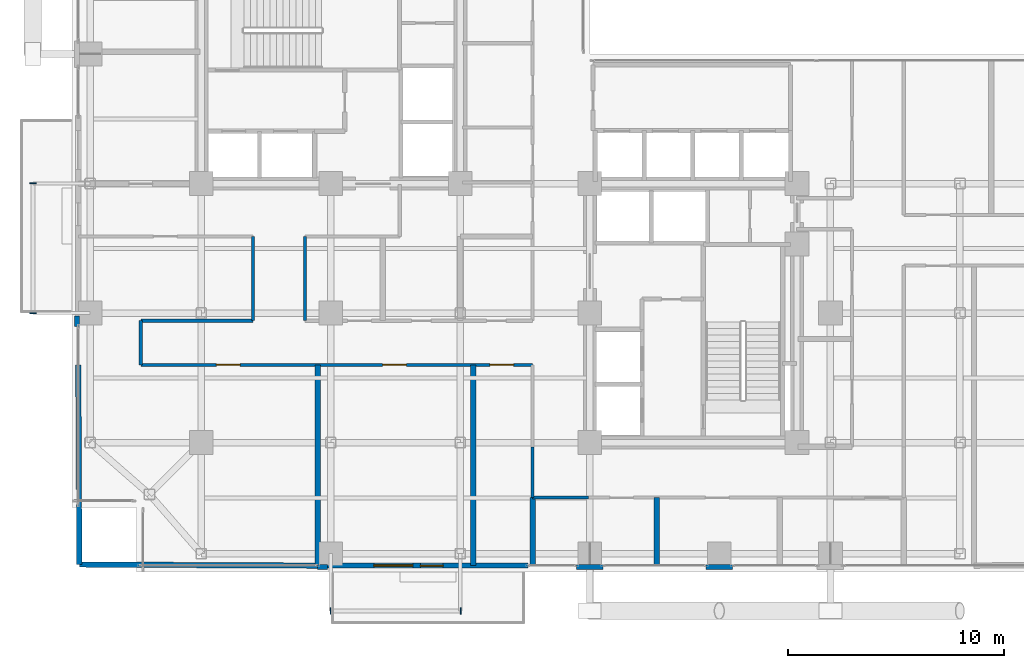
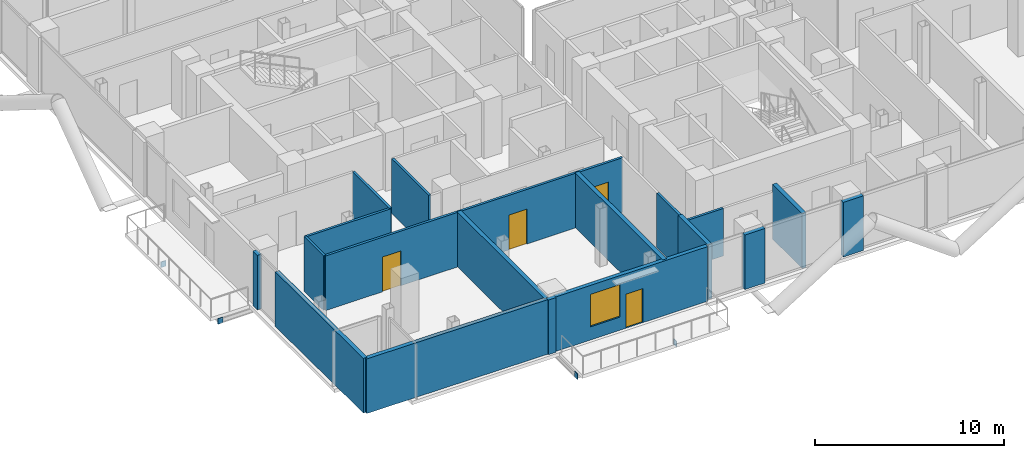
# One storey, part 18 of 24: 18 walls, 4 doors, 4 plates, 1 window, 5 openings.
"""IFC4 building model written with IfcOpenShell, lengths in metres."""

from ifc_helpers import new_model, si_unit, direction, frame, frame_2d, origin, origin_2d, place, context, subcontext, project, spatial, rectangle, extrude, material, layer, layer_set, type_object, element, fill, save


model = new_model("IFC4")

# Units and contexts
model_context = context("Model", 3, precision=1e-05, world=origin(), true_north=direction((0.0, 1.0)))
body_context = subcontext(model_context, "Body", "Model", "MODEL_VIEW")
ifc_project = project(units=[si_unit("LENGTHUNIT", "METRE"), si_unit("AREAUNIT", "SQUARE_METRE"), si_unit("VOLUMEUNIT", "CUBIC_METRE"), si_unit("PLANEANGLEUNIT", "RADIAN"), si_unit("MASSUNIT", "GRAM", prefix="KILO"), si_unit("THERMODYNAMICTEMPERATUREUNIT", "KELVIN"), si_unit("POWERUNIT", "WATT")], contexts=[model_context])

# Site, building, storey
site_placement = place(None, origin())
site = spatial("IfcSite", under=ifc_project, at=site_placement, CompositionType="ELEMENT")
building_placement = place(site_placement, origin())
building = spatial("IfcBuilding", under=site, at=building_placement, Name="Svarakhadi Broadcast Tower", CompositionType="ELEMENT")
storey_placement = place(building_placement, frame((0.0, 0.0, 130.64990234375)))
storey = spatial("IfcBuildingStorey", under=building, at=storey_placement, Name="L31", CompositionType="ELEMENT", Elevation=130.64990234375)

# Plates
ifc_material_1 = material(Name="Steel S460ML (IS 2062 E450BR)", Category="steel")
ifc_layer_1 = layer(ifc_material_1, 0.028076171875)
ifc_layer_set_1 = layer_set([ifc_layer_1], Name="Steel S460ML (IS 2062 E450BR)")
plate_type = type_object("IfcPlateType", Name="Cap_Plate_CP02", PredefinedType="USERDEFINED", material=ifc_layer_set_1)
for number, where, z_axis, x_axis, name in (
    (1, (11.985107421875, -1.800048828125, -0.55517578125), (0.0, 0.0, 1.0), (1.0, 0.0, 0.0), "L31 Balcony Spandrel End Cap Plate 1F-A"),
    (2, (18.014892578125, -1.800048828125, -0.55517578125), (0.0, 0.0, 1.0), (1.0, 0.0, 0.0), "L31 Balcony Spandrel End Cap Plate 1F-B"),
):
    element("IfcPlate", number, at=place(storey_placement, frame(where, z_axis=z_axis, x_axis=x_axis)), inside=storey, type_object=plate_type, Name=name, ObjectType="FLANGE_PLATE", PredefinedType="USERDEFINED", context=body_context, shape_type="SweptSolid", body=[
        extrude(rectangle(XDim=0.0400390625, YDim=0.300048828125, at=origin_2d()), origin(), (0.0, 0.0, 1.0), 0.360107421875),
    ])
for number, where, z_axis, x_axis, name in (
    (3, (-1.800048828125, 11.985107421875, -0.55517578125), (0.0, 0.0, 1.0), (1.0, 0.0, 0.0), "L31 Balcony Spandrel End Cap Plate 2F-A"),
    (4, (-1.800048828125, 18.014892578125, -0.55517578125), (0.0, 0.0, 1.0), (1.0, 0.0, 0.0), "L31 Balcony Spandrel End Cap Plate 2F-B"),
):
    element("IfcPlate", number, at=place(storey_placement, frame(where, z_axis=z_axis, x_axis=x_axis)), inside=storey, type_object=plate_type, Name=name, ObjectType="FLANGE_PLATE", PredefinedType="USERDEFINED", context=body_context, shape_type="SweptSolid", body=[
        extrude(rectangle(XDim=0.300048828125, YDim=0.0400390625, at=origin_2d()), origin(), (0.0, 0.0, 1.0), 0.360107421875),
    ])

# Walls
ifc_material_2 = material(Name="Double-Stud Acoustic Studio Partition STC-62", Category="gypsum")
ifc_layer_2 = layer(ifc_material_2, 0.25)
ifc_layer_set_2 = layer_set([ifc_layer_2], Name="Double-Stud Acoustic Studio Partition STC-62")
wall_type_1 = type_object("IfcWallType", Name="Wall_Acoust_250", PredefinedType="PARTITIONING", material=ifc_layer_set_2)
for number, where, z_axis, x_axis, name in (
    (5, (21.35009765625, 0.300048828125, 0.0), (0.0, 0.0, 1.0), (0.0, 1.0, 0.0), "L31 Harbour Front Production Office Wall"),
    (6, (27.10009765625, 0.300048828125, 0.0), (0.0, 0.0, 1.0), (0.0, 1.0, 0.0), "L31 Harbour Front Production Office Wall"),
):
    element("IfcWall", number, at=place(storey_placement, frame(where, z_axis=z_axis, x_axis=x_axis)), inside=storey, type_object=wall_type_1, Name=name, PredefinedType="PARTITIONING", context=body_context, shape_type="SweptSolid", body=[
        extrude(rectangle(XDim=3.14990234375, YDim=0.25, at=frame_2d((1.574951171875, 0.0))), origin(), (0.0, 0.0, 1.0), 3.525146484375),
    ])
wall_1_placement = place(storey_placement, frame((0.35009765625, 0.35009765625, 0.0), z_axis=(0.0, 0.0, 1.0), x_axis=(0.999989714785, -0.004535451924, 0.0)))
element("IfcWall", 7, at=wall_1_placement, inside=storey, type_object=wall_type_1, Name="L31 Dolby Cinema Screening Theatre Wall", PredefinedType="PARTITIONING", context=body_context, shape_type="SweptSolid", body=[
    extrude(rectangle(XDim=11.034912109375, YDim=0.25, at=frame_2d((5.517578125, 0.0))), origin(), (0.0, 0.0, 1.0), 3.525146484375),
])
wall_2_placement = place(storey_placement, frame((0.35009765625, 0.35009765625, 0.0), z_axis=(0.0, 0.0, 1.0), x_axis=(-0.005410604923, 0.99998536257, 0.0)))
element("IfcWall", 8, at=wall_2_placement, inside=storey, type_object=wall_type_1, Name="L31 Dolby Cinema Screening Theatre Wall", PredefinedType="PARTITIONING", context=body_context, shape_type="SweptSolid", body=[
    extrude(rectangle(XDim=9.250244140625, YDim=0.25, at=frame_2d((4.625, 0.0))), origin(), (0.0, 0.0, 1.0), 3.525146484375),
])
for number, where, z_axis, x_axis, name in (
    (9, (11.39990234375, 0.300048828125, 0.0), (0.0, 0.0, 1.0), (0.0, 1.0, 0.0), "L31 Dolby Cinema Screening Theatre Wall"),
    (10, (18.60009765625, 0.300048828125, 0.0), (0.0, 0.0, 1.0), (0.0, 1.0, 0.0), "L31 Post-Production Coordination Office Wall"),
):
    element("IfcWall", number, at=place(storey_placement, frame(where, z_axis=z_axis, x_axis=x_axis)), inside=storey, type_object=wall_type_1, Name=name, PredefinedType="PARTITIONING", context=body_context, shape_type="SweptSolid", body=[
        extrude(rectangle(XDim=9.300048828125, YDim=0.25, at=frame_2d((4.64990234375, 0.0))), origin(), (0.0, 0.0, 1.0), 3.525146484375),
    ])

# Wall, openings, door, window
ifc_material_3 = material(Name="Concrete C40/50 (IS 456 M50)", Category="concrete")
ifc_layer_3 = layer(ifc_material_3, 0.239990234375)
ifc_layer_set_3 = layer_set([ifc_layer_3], Name="Concrete C40/50 (IS 456 M50)")
wall_type_2 = type_object("IfcWallType", Name="Wall_Ext_240", PredefinedType="SOLIDWALL", material=ifc_layer_set_3)
wall_3_placement = place(storey_placement, frame((21.14501953125, 0.300048828125, 0.0), z_axis=(0.0, 0.0, 1.0), x_axis=(-1.0, 0.0, 0.0)))
wall_3 = element("IfcWall", 11, at=wall_3_placement, inside=storey, type_object=wall_type_2, Name="L31 South Tree Balcony Spandrel Wall", PredefinedType="SOLIDWALL", context=body_context, shape_type="SweptSolid", body=[
    extrude(rectangle(XDim=9.2900390625, YDim=0.239990234375, at=frame_2d((4.64501953125, 0.0))), origin(), (0.0, 0.0, 1.0), 3.525146484375),
])
opening_1_placement = place(wall_3_placement, frame((3.945068359375, 0.0, 0.0)))
opening_1 = element("IfcOpeningElement", 12, at=opening_1_placement, cuts=wall_3, Name="Opening ED-05", PredefinedType="OPENING", context=body_context, shape_type="SweptSolid", body=[
    extrude(rectangle(XDim=1.050048828125, YDim=2.199951171875, at=frame_2d((0.52490234375, 1.10009765625))), frame((0.0, 0.1298828125, 0.0), z_axis=(0.0, -1.0, 0.0), x_axis=(1.0, 0.0, 0.0)), (0.0, 0.0, 1.0), 0.260009765625),
])
opening_2_placement = place(wall_3_placement, frame((5.344970703125, 0.0, 0.85009765625)))
opening_2 = element("IfcOpeningElement", 13, at=opening_2_placement, cuts=wall_3, Name="Opening WN-02", PredefinedType="OPENING", context=body_context, shape_type="SweptSolid", body=[
    extrude(rectangle(XDim=1.800048828125, YDim=2.10009765625, at=frame_2d((0.89990234375, 1.050048828125))), frame((0.0, 0.1298828125, 0.0), z_axis=(0.0, -1.0, 0.0), x_axis=(1.0, 0.0, 0.0)), (0.0, 0.0, 1.0), 0.260009765625),
])
ifc_material_4 = material(Name="Anodised Bronze Aluminium AA 6063-T6", Category="aluminium")
door_type_1 = type_object("IfcDoorType", Name="Door_Ext_ED05", OperationType="SINGLE_SWING_LEFT", PredefinedType="DOOR", material=ifc_material_4)
door_1_placement = place(opening_1_placement, origin())
door_1 = element("IfcDoor", 14, at=door_1_placement, inside=storey, type_object=door_type_1, Name="L31 South Tree Balcony Door", OperationType="SINGLE_SWING_LEFT", OverallHeight=2.199951171875, OverallWidth=1.050048828125, PredefinedType="DOOR", context=body_context, shape_type="SweptSolid", body=[
    extrude(rectangle(XDim=1.050048828125, YDim=2.199951171875, at=frame_2d((0.52490234375, 1.10009765625))), frame((0.0, 0.02490234375, 0.0), z_axis=(0.0, -1.0, 0.0), x_axis=(1.0, 0.0, 0.0)), (0.0, 0.0, 1.0), 0.050048828125),
])
fill(opening_1, door_1)
ifc_material_5 = material(Name="Double Low-E Laminated Acoustic Glass IGU 36 mm", Category="glass")
window_type = type_object("IfcWindowType", Name="Win_Fixed_WN02", PartitioningType="SINGLE_PANEL", PredefinedType="WINDOW", material=ifc_material_5)
window_placement = place(opening_2_placement, origin())
window = element("IfcWindow", 15, at=window_placement, inside=storey, type_object=window_type, Name="L31 South Tree Balcony Window", OverallHeight=2.10009765625, OverallWidth=1.800048828125, PartitioningType="SINGLE_PANEL", PredefinedType="WINDOW", context=body_context, shape_type="SweptSolid", body=[
    extrude(rectangle(XDim=1.800048828125, YDim=2.10009765625, at=frame_2d((0.89990234375, 1.050048828125))), frame((0.0, 0.030029296875, 0.0), z_axis=(0.0, -1.0, 0.0), x_axis=(1.0, 0.0, 0.0)), (0.0, 0.0, 1.0), 0.06005859375),
])
fill(opening_2, window)

# Walls
wall_4_placement = place(storey_placement, frame((0.239990234375, 11.385009765625, 0.0), z_axis=(0.0, 0.0, 1.0), x_axis=(0.0, 1.0, 0.0)))
element("IfcWall", 16, at=wall_4_placement, inside=storey, type_object=wall_type_2, Name="L31 Perimeter Bronze Spandrel Closure Wall 01", PredefinedType="SOLIDWALL", context=body_context, shape_type="SweptSolid", body=[
    extrude(rectangle(XDim=0.469970703125, YDim=0.239990234375, at=frame_2d((0.23486328125, 0.0))), origin(), (0.0, 0.0, 1.0), 3.525146484375),
])
for number, where, z_axis, x_axis, name in (
    (17, (30.614990234375, 0.239990234375, 0.0), (0.0, 0.0, 1.0), (-1.0, 0.0, 0.0), "L31 Perimeter Bronze Spandrel Closure Wall 08"),
    (18, (24.614990234375, 0.239990234375, 0.0), (0.0, 0.0, 1.0), (-1.0, 0.0, 0.0), "L31 Perimeter Bronze Spandrel Closure Wall 09"),
):
    element("IfcWall", number, at=place(storey_placement, frame(where, z_axis=z_axis, x_axis=x_axis)), inside=storey, type_object=wall_type_2, Name=name, PredefinedType="SOLIDWALL", context=body_context, shape_type="SweptSolid", body=[
        extrude(rectangle(XDim=1.22998046875, YDim=0.239990234375, at=frame_2d((0.614990234375, 0.0))), origin(), (0.0, 0.0, 1.0), 3.525146484375),
    ])
wall_5_placement = place(storey_placement, frame((11.85498046875, 0.239990234375, 0.0), z_axis=(0.0, 0.0, 1.0), x_axis=(-1.0, 0.0, 0.0)))
element("IfcWall", 19, at=wall_5_placement, inside=storey, type_object=wall_type_2, Name="L31 Perimeter Bronze Spandrel Closure Wall 10", PredefinedType="SOLIDWALL", context=body_context, shape_type="SweptSolid", body=[
    extrude(rectangle(XDim=0.469970703125, YDim=0.239990234375, at=frame_2d((0.23486328125, 0.0))), origin(), (0.0, 0.0, 1.0), 3.525146484375),
])
ifc_material_6 = material(Name="Autoclaved Aerated Concrete Blockwork 150 mm", Category="masonry")
ifc_layer_4 = layer(ifc_material_6, 0.14990234375)
ifc_layer_set_4 = layer_set([ifc_layer_4], Name="Autoclaved Aerated Concrete Blockwork 150 mm")
wall_type_3 = type_object("IfcWallType", Name="Wall_Part_150", PredefinedType="PARTITIONING", material=ifc_layer_set_4)
wall_6_placement = place(storey_placement, frame((23.949951171875, 3.449951171875, 0.0), z_axis=(0.0, 0.0, 1.0), x_axis=(-1.0, 0.0, 0.0)))
element("IfcWall", 20, at=wall_6_placement, inside=storey, type_object=wall_type_3, Name="L31 Zone 2/3 Corridor Wall", PredefinedType="PARTITIONING", context=body_context, shape_type="SweptSolid", body=[
    extrude(rectangle(XDim=2.599853515625, YDim=0.14990234375, at=frame_2d((1.2998046875, 0.0))), origin(), (0.0, 0.0, 1.0), 3.067138671875),
])
wall_7_placement = place(storey_placement, frame((21.35009765625, 3.449951171875, 0.0), z_axis=(0.0, 0.0, 1.0), x_axis=(0.0, 1.0, 0.0)))
element("IfcWall", 21, at=wall_7_placement, inside=storey, type_object=wall_type_3, Name="L31 Zone 2/3 Corridor Wall", PredefinedType="PARTITIONING", context=body_context, shape_type="SweptSolid", body=[
    extrude(rectangle(XDim=2.35009765625, YDim=0.14990234375, at=frame_2d((1.175048828125, 0.0))), origin(), (0.0, 0.0, 1.0), 3.525146484375),
])

# Wall, openings, doors
wall_8_placement = place(storey_placement, frame((21.35009765625, 9.60009765625, 0.0), z_axis=(0.0, 0.0, 1.0), x_axis=(-1.0, 0.0, 0.0)))
wall_8 = element("IfcWall", 22, at=wall_8_placement, inside=storey, type_object=wall_type_3, Name="L31 Zone 2/3 Corridor Wall", PredefinedType="PARTITIONING", context=body_context, shape_type="SweptSolid", body=[
    extrude(rectangle(XDim=18.150146484375, YDim=0.14990234375, at=frame_2d((9.0751953125, 0.0))), origin(), (0.0, 0.0, 1.0), 3.525146484375),
])
opening_3_placement = place(wall_8_placement, frame((13.550048828125, 0.0, 0.0)))
opening_3 = element("IfcOpeningElement", 23, at=opening_3_placement, cuts=wall_8, Name="Opening D-11", PredefinedType="OPENING", context=body_context, shape_type="SweptSolid", body=[
    extrude(rectangle(XDim=1.10009765625, YDim=2.25, at=frame_2d((0.550048828125, 1.125))), frame((0.0, 0.0849609375, 0.0), z_axis=(0.0, -1.0, 0.0), x_axis=(1.0, 0.0, 0.0)), (0.0, 0.0, 1.0), 0.169921875),
])
opening_4_placement = place(wall_8_placement, frame((5.85009765625, 0.0, 0.0)))
opening_4 = element("IfcOpeningElement", 24, at=opening_4_placement, cuts=wall_8, Name="Opening D-10", PredefinedType="OPENING", context=body_context, shape_type="SweptSolid", body=[
    extrude(rectangle(XDim=1.10009765625, YDim=2.25, at=frame_2d((0.550048828125, 1.125))), frame((0.0, 0.0849609375, 0.0), z_axis=(0.0, -1.0, 0.0), x_axis=(1.0, 0.0, 0.0)), (0.0, 0.0, 1.0), 0.169921875),
])
opening_5_placement = place(wall_8_placement, frame((0.875, 0.0, 0.0)))
opening_5 = element("IfcOpeningElement", 25, at=opening_5_placement, cuts=wall_8, Name="Opening D-11", PredefinedType="OPENING", context=body_context, shape_type="SweptSolid", body=[
    extrude(rectangle(XDim=1.10009765625, YDim=2.25, at=frame_2d((0.550048828125, 1.125))), frame((0.0, 0.0849609375, 0.0), z_axis=(0.0, -1.0, 0.0), x_axis=(1.0, 0.0, 0.0)), (0.0, 0.0, 1.0), 0.169921875),
])
ifc_material_7 = material(Name="Solid-Core Teak Veneer Acoustic Timber Leaf", Category="wood")
door_type_2 = type_object("IfcDoorType", Name="Door_Acoust_D10", OperationType="SINGLE_SWING_LEFT", PredefinedType="DOOR", material=ifc_material_7)
door_2_placement = place(opening_4_placement, origin())
door_2 = element("IfcDoor", 26, at=door_2_placement, inside=storey, type_object=door_type_2, Name="L31 Post-Production Coordination Office Door", OperationType="SINGLE_SWING_LEFT", OverallHeight=2.25, OverallWidth=1.10009765625, PredefinedType="DOOR", context=body_context, shape_type="SweptSolid", body=[
    extrude(rectangle(XDim=1.10009765625, YDim=2.25, at=frame_2d((0.550048828125, 1.125))), frame((0.0, 0.02490234375, 0.0), z_axis=(0.0, -1.0, 0.0), x_axis=(1.0, 0.0, 0.0)), (0.0, 0.0, 1.0), 0.050048828125),
])
fill(opening_4, door_2)
door_type_3 = type_object("IfcDoorType", Name="Door_Acoust_D11", OperationType="SINGLE_SWING_RIGHT", PredefinedType="DOOR", material=ifc_material_7)
door_3_placement = place(opening_3_placement, origin())
door_3 = element("IfcDoor", 27, at=door_3_placement, inside=storey, type_object=door_type_3, Name="L31 Dolby Cinema Screening Theatre Door", OperationType="SINGLE_SWING_RIGHT", OverallHeight=2.25, OverallWidth=1.10009765625, PredefinedType="DOOR", context=body_context, shape_type="SweptSolid", body=[
    extrude(rectangle(XDim=1.10009765625, YDim=2.25, at=frame_2d((0.550048828125, 1.125))), frame((0.0, 0.02490234375, 0.0), z_axis=(0.0, -1.0, 0.0), x_axis=(1.0, 0.0, 0.0)), (0.0, 0.0, 1.0), 0.050048828125),
])
fill(opening_3, door_3)
door_4_placement = place(opening_5_placement, origin())
door_4 = element("IfcDoor", 28, at=door_4_placement, inside=storey, type_object=door_type_3, Name="L31 Hospitality Catering Kitchen Door", OperationType="SINGLE_SWING_RIGHT", OverallHeight=2.25, OverallWidth=1.10009765625, PredefinedType="DOOR", context=body_context, shape_type="SweptSolid", body=[
    extrude(rectangle(XDim=1.10009765625, YDim=2.25, at=frame_2d((0.550048828125, 1.125))), frame((0.0, 0.02490234375, 0.0), z_axis=(0.0, -1.0, 0.0), x_axis=(1.0, 0.0, 0.0)), (0.0, 0.0, 1.0), 0.050048828125),
])
fill(opening_5, door_4)

# Walls
wall_9_placement = place(storey_placement, frame((3.199951171875, 9.60009765625, 0.0), z_axis=(0.0, 0.0, 1.0), x_axis=(0.0, 1.0, 0.0)))
element("IfcWall", 29, at=wall_9_placement, inside=storey, type_object=wall_type_3, Name="L31 Zone 2/3 Corridor Wall", PredefinedType="PARTITIONING", context=body_context, shape_type="SweptSolid", body=[
    extrude(rectangle(XDim=2.0498046875, YDim=0.14990234375, at=frame_2d((1.02490234375, 0.0))), origin(), (0.0, 0.0, 1.0), 3.525146484375),
])
wall_10_placement = place(storey_placement, frame((3.199951171875, 11.64990234375, 0.0), z_axis=(0.0, 0.0, 1.0), x_axis=(1.0, 0.0, 0.0)))
element("IfcWall", 30, at=wall_10_placement, inside=storey, type_object=wall_type_3, Name="L31 Zone 2/3 Corridor Wall", PredefinedType="PARTITIONING", context=body_context, shape_type="SweptSolid", body=[
    extrude(rectangle(XDim=5.199951171875, YDim=0.14990234375, at=frame_2d((2.60009765625, 0.0))), origin(), (0.0, 0.0, 1.0), 3.525146484375),
])
for number, where, z_axis, x_axis, name in (
    (31, (8.39990234375, 11.64990234375, 0.0), (0.0, 0.0, 1.0), (0.0, 1.0, 0.0), "L31 Zone 2/3 Corridor Wall"),
    (32, (10.800048828125, 15.550048828125, 0.0), (0.0, 0.0, 1.0), (0.0, -1.0, 0.0), "L31 Zone 2/3 Corridor Wall"),
):
    element("IfcWall", number, at=place(storey_placement, frame(where, z_axis=z_axis, x_axis=x_axis)), inside=storey, type_object=wall_type_3, Name=name, PredefinedType="PARTITIONING", context=body_context, shape_type="SweptSolid", body=[
        extrude(rectangle(XDim=3.900146484375, YDim=0.14990234375, at=frame_2d((1.9501953125, 0.0))), origin(), (0.0, 0.0, 1.0), 3.525146484375),
    ])

save(model, "model.ifc")
